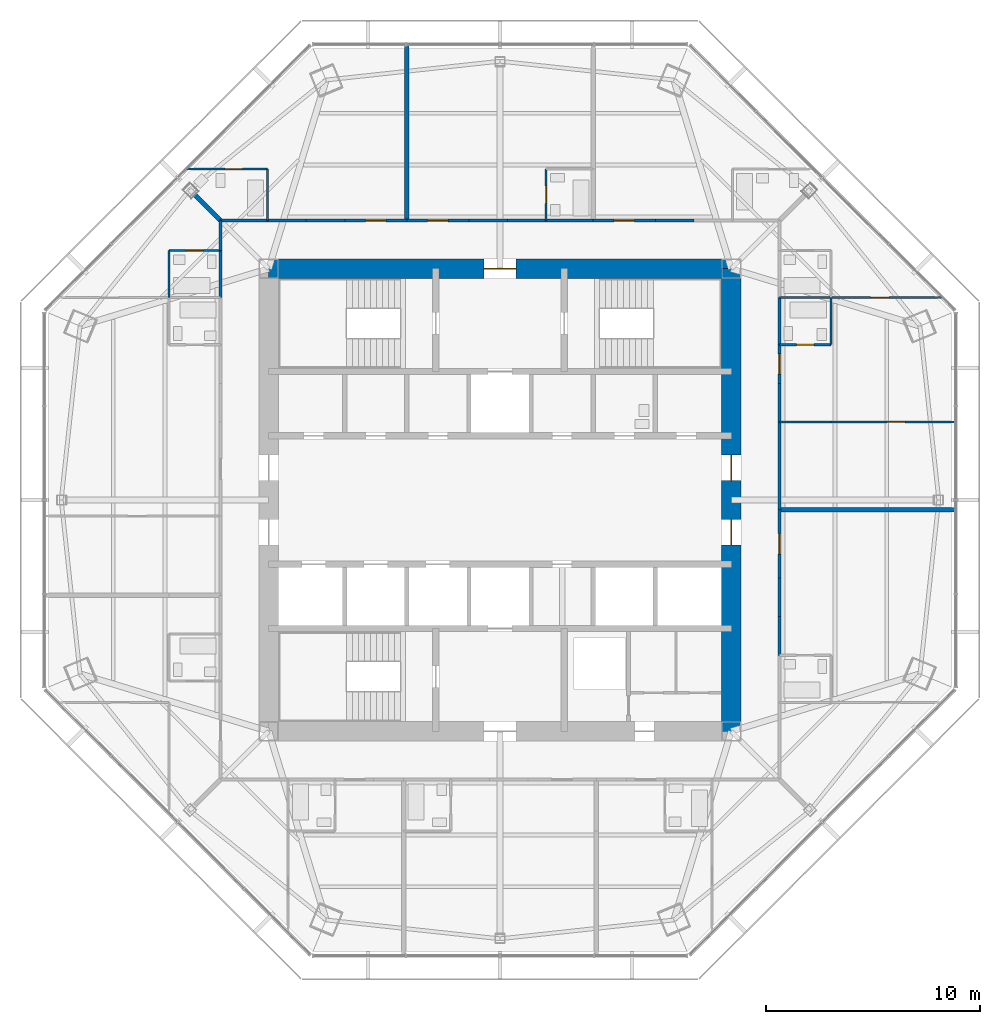
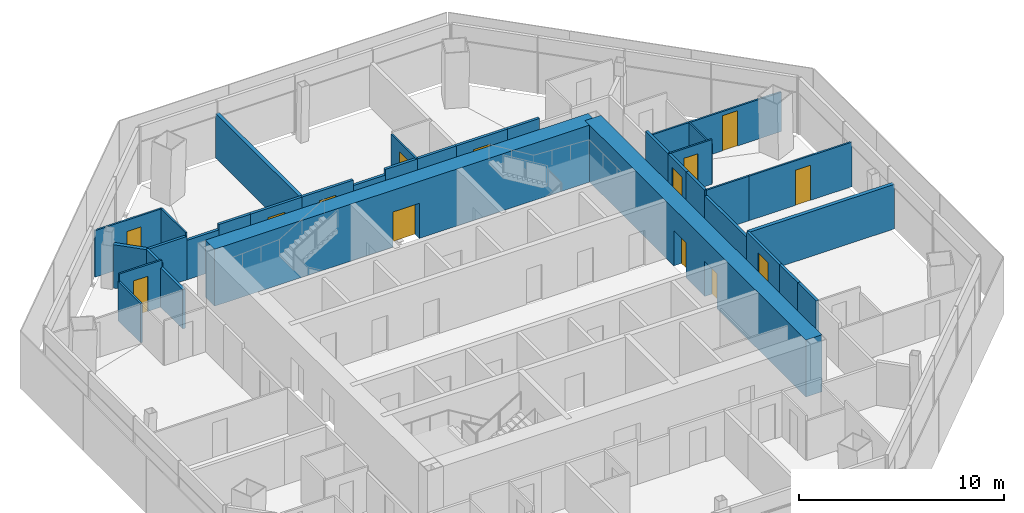
# One storey, part 11 of 14: 35 walls, 14 doors, 14 openings.
"""IFC4 building model written with IfcOpenShell, lengths in metres."""

from ifc_helpers import new_model, si_unit, direction, frame, frame_2d, origin, place, context, subcontext, project, spatial, rectangle, extrude, material, layer, layer_set, type_object, element, fill, save


model = new_model("IFC4")

# Units and contexts
model_context = context("Model", 3, precision=1e-05, world=origin(), true_north=direction((0.0, 1.0)))
body_context = subcontext(model_context, "Body", "Model", "MODEL_VIEW")
ifc_project = project(units=[si_unit("LENGTHUNIT", "METRE"), si_unit("AREAUNIT", "SQUARE_METRE"), si_unit("VOLUMEUNIT", "CUBIC_METRE"), si_unit("PLANEANGLEUNIT", "RADIAN"), si_unit("MASSUNIT", "GRAM", prefix="KILO")], contexts=[model_context])

# Site, building, storey
site_placement = place(None, origin())
site = spatial("IfcSite", under=ifc_project, at=site_placement, CompositionType="ELEMENT")
building_placement = place(site_placement, origin())
building = spatial("IfcBuilding", under=site, at=building_placement, Name="Mashrafa Tower", CompositionType="ELEMENT")
storey_placement = place(building_placement, frame((0.0, 0.0, 238.0)))
storey = spatial("IfcBuildingStorey", under=building, at=storey_placement, Name="L56", CompositionType="ELEMENT", Elevation=238.0)

# Walls
ifc_material_1 = material(Name="Gypsum board on steel studs", Category="steel")
ifc_layer_1 = layer(ifc_material_1, 0.199951171875)
ifc_layer_set_1 = layer_set([ifc_layer_1], Name="Acoustic partition 200 1 hr")
wall_type_1 = type_object("IfcWallType", Name="Acoustic partition 200 1 hr", PredefinedType="PARTITIONING", material=ifc_layer_set_1)
for number, where, z_axis, x_axis, name in (
    (1, (21.263916015625, -0.449951171875, 0.0), (0.0, 0.0, 1.0), (-1.0, 0.0, 0.0), "Acoustic wall L56-051"),
    (2, (-4.35009765625, 21.263916015625, 0.0), (0.0, 0.0, 1.0), (0.0, -1.0, 0.0), "Acoustic wall L56-067"),
):
    element("IfcWall", number, at=place(storey_placement, frame(where, z_axis=z_axis, x_axis=x_axis)), inside=storey, type_object=wall_type_1, Name=name, PredefinedType="PARTITIONING", context=body_context, shape_type="SweptSolid", body=[
        extrude(rectangle(XDim=8.2138671875, YDim=0.199951171875, at=frame_2d((4.10693359375, 0.0))), origin(), (0.0, 0.0, 1.0), 2.66162109375),
    ])
wall_1_placement = place(storey_placement, frame((-14.242431640625, 14.242431640625, 0.0), z_axis=(0.0, 0.0, 1.0), x_axis=(0.707106781187, -0.707106781187, 0.0)))
element("IfcWall", 3, at=wall_1_placement, inside=storey, type_object=wall_type_1, Name="Acoustic wall L56-070", PredefinedType="PARTITIONING", context=body_context, shape_type="SweptSolid", body=[
    extrude(rectangle(XDim=1.686279296875, YDim=0.199951171875, at=frame_2d((0.84326171875, 0.0))), origin(), (0.0, 0.0, 1.0), 2.587890625),
])

# Wall, openings, doors
ifc_material_2 = material(Name="Concrete C50/60", Category="concrete")
ifc_layer_2 = layer(ifc_material_2, 0.89990234375)
ifc_layer_set_2 = layer_set([ifc_layer_2], Name="Core wall 900 C50/60")
wall_type_2 = type_object("IfcWallType", Name="Core wall 900 C50/60", PredefinedType="SOLIDWALL", material=ifc_layer_set_2)
wall_2_placement = place(storey_placement, frame((10.800048828125, -10.800048828125, 0.0), z_axis=(0.0, 0.0, 1.0), x_axis=(0.0, 1.0, 0.0)))
wall_2 = element("IfcWall", 4, at=wall_2_placement, inside=storey, type_object=wall_type_2, Name="Core wall CW-E L56", PredefinedType="SOLIDWALL", context=body_context, shape_type="SweptSolid", body=[
    extrude(rectangle(XDim=21.60009765625, YDim=0.89990234375, at=frame_2d((10.800048828125, 0.0))), origin(), (0.0, 0.0, 1.0), 3.39990234375),
])
opening_1_placement = place(wall_2_placement, frame((11.699951171875, 0.0, 0.0)))
opening_1 = element("IfcOpeningElement", 5, at=opening_1_placement, cuts=wall_2, Name="Opening 56.031", PredefinedType="OPENING", context=body_context, shape_type="SweptSolid", body=[
    extrude(rectangle(XDim=1.199951171875, YDim=2.10009765625, at=frame_2d((0.60009765625, 1.050048828125))), frame((0.0, 0.4599609375, 0.0), z_axis=(0.0, -1.0, 0.0), x_axis=(1.0, 0.0, 0.0)), (0.0, 0.0, 1.0), 0.919921875),
])
opening_2_placement = place(wall_2_placement, frame((8.699951171875, 0.0, 0.0)))
opening_2 = element("IfcOpeningElement", 6, at=opening_2_placement, cuts=wall_2, Name="Opening 56.033", PredefinedType="OPENING", context=body_context, shape_type="SweptSolid", body=[
    extrude(rectangle(XDim=1.199951171875, YDim=2.10009765625, at=frame_2d((0.60009765625, 1.050048828125))), frame((0.0, 0.4599609375, 0.0), z_axis=(0.0, -1.0, 0.0), x_axis=(1.0, 0.0, 0.0)), (0.0, 0.0, 1.0), 0.919921875),
])
ifc_material_3 = material(Name="Steel door", Category="steel")
door_type_1 = type_object("IfcDoorType", Name="Lift hall door 1200 x 2100 90 min", OperationType="USERDEFINED", PredefinedType="DOOR", material=ifc_material_3)
door_1_placement = place(opening_1_placement, frame((1.199951171875, 0.0, 0.0), z_axis=(0.0, 0.0, 1.0), x_axis=(-1.0, 0.0, 0.0)))
door_1 = element("IfcDoor", 7, at=door_1_placement, inside=storey, type_object=door_type_1, Name="Lift hall door east L56", OperationType="SINGLE_SWING_LEFT", OverallHeight=2.10009765625, OverallWidth=1.199951171875, PredefinedType="DOOR", context=body_context, shape_type="SweptSolid", body=[
    extrude(rectangle(XDim=1.199951171875, YDim=2.10009765625, at=frame_2d((0.60009765625, 1.050048828125))), frame((0.0, 0.02490234375, 0.0), z_axis=(0.0, -1.0, 0.0), x_axis=(1.0, 0.0, 0.0)), (0.0, 0.0, 1.0), 0.050048828125),
])
fill(opening_1, door_1)
door_2_placement = place(opening_2_placement, frame((1.199951171875, 0.0, 0.0), z_axis=(0.0, 0.0, 1.0), x_axis=(-1.0, 0.0, 0.0)))
door_2 = element("IfcDoor", 8, at=door_2_placement, inside=storey, type_object=door_type_1, Name="Lift hall door east L56", OperationType="SINGLE_SWING_RIGHT", OverallHeight=2.10009765625, OverallWidth=1.199951171875, PredefinedType="DOOR", context=body_context, shape_type="SweptSolid", body=[
    extrude(rectangle(XDim=1.199951171875, YDim=2.10009765625, at=frame_2d((0.60009765625, 1.050048828125))), frame((0.0, 0.02490234375, 0.0), z_axis=(0.0, -1.0, 0.0), x_axis=(1.0, 0.0, 0.0)), (0.0, 0.0, 1.0), 0.050048828125),
])
fill(opening_2, door_2)

# Wall, opening, door
wall_3_placement = place(storey_placement, frame((10.800048828125, 10.800048828125, 0.0), z_axis=(0.0, 0.0, 1.0), x_axis=(-1.0, 0.0, 0.0)))
wall_3 = element("IfcWall", 9, at=wall_3_placement, inside=storey, type_object=wall_type_2, Name="Core wall CW-N L56", PredefinedType="SOLIDWALL", context=body_context, shape_type="SweptSolid", body=[
    extrude(rectangle(XDim=21.60009765625, YDim=0.89990234375, at=frame_2d((10.800048828125, 0.0))), origin(), (0.0, 0.0, 1.0), 3.39990234375),
])
opening_3_placement = place(wall_3_placement, frame((10.050048828125, 0.0, 0.0)))
opening_3 = element("IfcOpeningElement", 10, at=opening_3_placement, cuts=wall_3, Name="Opening 56.035", PredefinedType="OPENING", context=body_context, shape_type="SweptSolid", body=[
    extrude(rectangle(XDim=1.5, YDim=2.10009765625, at=frame_2d((0.75, 1.050048828125))), frame((0.0, 0.4599609375, 0.0), z_axis=(0.0, -1.0, 0.0), x_axis=(1.0, 0.0, 0.0)), (0.0, 0.0, 1.0), 0.919921875),
])
ifc_material_4 = material(Name="Steel door", Category="steel")
door_type_2 = type_object("IfcDoorType", Name="Lobby door pair 1500 x 2100 90 min", OperationType="DOUBLE_DOOR_SINGLE_SWING", PredefinedType="DOOR", material=ifc_material_4)
door_3_placement = place(opening_3_placement, origin())
door_3 = element("IfcDoor", 11, at=door_3_placement, inside=storey, type_object=door_type_2, Name="Fire-fighting lobby F1 door L56", OperationType="DOUBLE_DOOR_SINGLE_SWING", OverallHeight=2.10009765625, OverallWidth=1.5, PredefinedType="DOOR", context=body_context, shape_type="SweptSolid", body=[
    extrude(rectangle(XDim=1.5, YDim=2.10009765625, at=frame_2d((0.75, 1.050048828125))), frame((0.0, 0.02490234375, 0.0), z_axis=(0.0, -1.0, 0.0), x_axis=(1.0, 0.0, 0.0)), (0.0, 0.0, 1.0), 0.050048828125),
])
fill(opening_3, door_3)

# Walls
ifc_material_5 = material(Name="Gypsum board on steel studs", Category="steel")
ifc_layer_3 = layer(ifc_material_5, 0.14990234375)
ifc_layer_set_3 = layer_set([ifc_layer_3], Name="Corridor partition 150 1 hr")
wall_type_3 = type_object("IfcWallType", Name="Corridor partition 150 1 hr", PredefinedType="PARTITIONING", material=ifc_layer_set_3)
for number, where, z_axis, x_axis, name in (
    (12, (13.050048828125, -5.450927734375, 0.0), (0.0, 0.0, 1.0), (0.0, 1.0, 0.0), "Corridor wall L56-003"),
    (13, (13.050048828125, -7.2509765625, 0.0), (0.0, 0.0, 1.0), (0.0, 1.0, 0.0), "Corridor wall L56-004"),
):
    element("IfcWall", number, at=place(storey_placement, frame(where, z_axis=z_axis, x_axis=x_axis)), inside=storey, type_object=wall_type_3, Name=name, PredefinedType="PARTITIONING", context=body_context, shape_type="SweptSolid", body=[
        extrude(rectangle(XDim=1.802001953125, YDim=0.14990234375, at=frame_2d((0.90087890625, 0.0))), origin(), (0.0, 0.0, 1.0), 2.66162109375),
    ])

# Wall, opening, door
wall_4_placement = place(storey_placement, frame((13.050048828125, -3.65087890625, 0.0), z_axis=(0.0, 0.0, 1.0), x_axis=(0.0, 1.0, 0.0)))
wall_4 = element("IfcWall", 14, at=wall_4_placement, inside=storey, type_object=wall_type_3, Name="Corridor wall L56-005", PredefinedType="PARTITIONING", context=body_context, shape_type="SweptSolid", body=[
    extrude(rectangle(XDim=3.201904296875, YDim=0.14990234375, at=frame_2d((1.60107421875, 0.0))), origin(), (0.0, 0.0, 1.0), 2.66162109375),
])
opening_4_placement = place(wall_4_placement, frame((1.1259765625, 0.0, 0.0)))
opening_4 = element("IfcOpeningElement", 15, at=opening_4_placement, cuts=wall_4, Name="Opening 56.003", PredefinedType="OPENING", context=body_context, shape_type="SweptSolid", body=[
    extrude(rectangle(XDim=0.949951171875, YDim=2.10009765625, at=frame_2d((0.47509765625, 1.050048828125))), frame((0.0, 0.0849609375, 0.0), z_axis=(0.0, -1.0, 0.0), x_axis=(1.0, 0.0, 0.0)), (0.0, 0.0, 1.0), 0.169921875),
])
ifc_material_6 = material(Name="Steel door", Category="steel")
door_type_3 = type_object("IfcDoorType", Name="Residence entrance door 950 x 2100 20 min", OperationType="USERDEFINED", PredefinedType="DOOR", material=ifc_material_6)
door_4_placement = place(opening_4_placement, frame((0.949951171875, 0.0, 0.0), z_axis=(0.0, 0.0, 1.0), x_axis=(-1.0, 0.0, 0.0)))
door_4 = element("IfcDoor", 16, at=door_4_placement, inside=storey, type_object=door_type_3, Name="Apartment 5601 Living Room door", OperationType="SINGLE_SWING_LEFT", OverallHeight=2.10009765625, OverallWidth=0.949951171875, PredefinedType="DOOR", context=body_context, shape_type="SweptSolid", body=[
    extrude(rectangle(XDim=0.949951171875, YDim=2.10009765625, at=frame_2d((0.47509765625, 1.050048828125))), frame((0.0, 0.02490234375, 0.0), z_axis=(0.0, -1.0, 0.0), x_axis=(1.0, 0.0, 0.0)), (0.0, 0.0, 1.0), 0.050048828125),
])
fill(opening_4, door_4)

# Walls
wall_5_placement = place(storey_placement, frame((13.050048828125, 7.2490234375, 0.0), z_axis=(0.0, 0.0, 1.0), x_axis=(0.0, 1.0, 0.0)))
element("IfcWall", 17, at=wall_5_placement, inside=storey, type_object=wall_type_3, Name="Corridor wall L56-008", PredefinedType="PARTITIONING", context=body_context, shape_type="SweptSolid", body=[
    extrude(rectangle(XDim=2.201904296875, YDim=0.14990234375, at=frame_2d((1.10107421875, 0.0))), origin(), (0.0, 0.0, 1.0), 2.66162109375),
])
wall_6_placement = place(storey_placement, frame((13.050048828125, 3.64892578125, 0.0), z_axis=(0.0, 0.0, 1.0), x_axis=(0.0, 1.0, 0.0)))
element("IfcWall", 18, at=wall_6_placement, inside=storey, type_object=wall_type_3, Name="Corridor wall L56-009", PredefinedType="PARTITIONING", context=body_context, shape_type="SweptSolid", body=[
    extrude(rectangle(XDim=1.802001953125, YDim=0.14990234375, at=frame_2d((0.90087890625, 0.0))), origin(), (0.0, 0.0, 1.0), 2.66162109375),
])
wall_7_placement = place(storey_placement, frame((13.050048828125, -0.450927734375, 0.0), z_axis=(0.0, 0.0, 1.0), x_axis=(0.0, 1.0, 0.0)))
element("IfcWall", 19, at=wall_7_placement, inside=storey, type_object=wall_type_3, Name="Corridor wall L56-010", PredefinedType="PARTITIONING", context=body_context, shape_type="SweptSolid", body=[
    extrude(rectangle(XDim=4.101806640625, YDim=0.14990234375, at=frame_2d((2.05078125, 0.0))), origin(), (0.0, 0.0, 1.0), 2.33154296875),
])

# Wall, opening, door
wall_8_placement = place(storey_placement, frame((13.050048828125, 5.448974609375, 0.0), z_axis=(0.0, 0.0, 1.0), x_axis=(0.0, 1.0, 0.0)))
wall_8 = element("IfcWall", 20, at=wall_8_placement, inside=storey, type_object=wall_type_3, Name="Corridor wall L56-011", PredefinedType="PARTITIONING", context=body_context, shape_type="SweptSolid", body=[
    extrude(rectangle(XDim=1.802001953125, YDim=0.14990234375, at=frame_2d((0.90087890625, 0.0))), origin(), (0.0, 0.0, 1.0), 2.66162109375),
])
opening_5_placement = place(wall_8_placement, frame((0.426025390625, 0.0, 0.0)))
opening_5 = element("IfcOpeningElement", 21, at=opening_5_placement, cuts=wall_8, Name="Opening 56.008", PredefinedType="OPENING", context=body_context, shape_type="SweptSolid", body=[
    extrude(rectangle(XDim=0.949951171875, YDim=2.10009765625, at=frame_2d((0.47509765625, 1.050048828125))), frame((0.0, 0.0849609375, 0.0), z_axis=(0.0, -1.0, 0.0), x_axis=(1.0, 0.0, 0.0)), (0.0, 0.0, 1.0), 0.169921875),
])
door_5_placement = place(opening_5_placement, frame((0.949951171875, 0.0, 0.0), z_axis=(0.0, 0.0, 1.0), x_axis=(-1.0, 0.0, 0.0)))
door_5 = element("IfcDoor", 22, at=door_5_placement, inside=storey, type_object=door_type_3, Name="Apartment 5602 Living Room door", OperationType="SINGLE_SWING_RIGHT", OverallHeight=2.10009765625, OverallWidth=0.949951171875, PredefinedType="DOOR", context=body_context, shape_type="SweptSolid", body=[
    extrude(rectangle(XDim=0.949951171875, YDim=2.10009765625, at=frame_2d((0.47509765625, 1.050048828125))), frame((0.0, 0.02490234375, 0.0), z_axis=(0.0, -1.0, 0.0), x_axis=(1.0, 0.0, 0.0)), (0.0, 0.0, 1.0), 0.050048828125),
])
fill(opening_5, door_5)

# Wall
wall_9_placement = place(storey_placement, frame((9.051025390625, 13.050048828125, 0.0), z_axis=(0.0, 0.0, 1.0), x_axis=(-1.0, 0.0, 0.0)))
element("IfcWall", 23, at=wall_9_placement, inside=storey, type_object=wall_type_3, Name="Corridor wall L56-013", PredefinedType="PARTITIONING", context=body_context, shape_type="SweptSolid", body=[
    extrude(rectangle(XDim=1.802001953125, YDim=0.14990234375, at=frame_2d((0.90087890625, 0.0))), origin(), (0.0, 0.0, 1.0), 2.66162109375),
])

# Wall, opening, door
wall_10_placement = place(storey_placement, frame((7.2509765625, 13.050048828125, 0.0), z_axis=(0.0, 0.0, 1.0), x_axis=(-1.0, 0.0, 0.0)))
wall_10 = element("IfcWall", 24, at=wall_10_placement, inside=storey, type_object=wall_type_3, Name="Corridor wall L56-014", PredefinedType="PARTITIONING", context=body_context, shape_type="SweptSolid", body=[
    extrude(rectangle(XDim=2.90185546875, YDim=0.14990234375, at=frame_2d((1.450927734375, 0.0))), origin(), (0.0, 0.0, 1.0), 2.66162109375),
])
opening_6_placement = place(wall_10_placement, frame((0.97607421875, 0.0, 0.0)))
opening_6 = element("IfcOpeningElement", 25, at=opening_6_placement, cuts=wall_10, Name="Opening 56.010", PredefinedType="OPENING", context=body_context, shape_type="SweptSolid", body=[
    extrude(rectangle(XDim=0.949951171875, YDim=2.10009765625, at=frame_2d((0.47509765625, 1.050048828125))), frame((0.0, 0.0849609375, 0.0), z_axis=(0.0, -1.0, 0.0), x_axis=(1.0, 0.0, 0.0)), (0.0, 0.0, 1.0), 0.169921875),
])
door_6_placement = place(opening_6_placement, frame((0.949951171875, 0.0, 0.0), z_axis=(0.0, 0.0, 1.0), x_axis=(-1.0, 0.0, 0.0)))
door_6 = element("IfcDoor", 26, at=door_6_placement, inside=storey, type_object=door_type_3, Name="Apartment 5603 Studio Living Room door", OperationType="SINGLE_SWING_LEFT", OverallHeight=2.10009765625, OverallWidth=0.949951171875, PredefinedType="DOOR", context=body_context, shape_type="SweptSolid", body=[
    extrude(rectangle(XDim=0.949951171875, YDim=2.10009765625, at=frame_2d((0.47509765625, 1.050048828125))), frame((0.0, 0.02490234375, 0.0), z_axis=(0.0, -1.0, 0.0), x_axis=(1.0, 0.0, 0.0)), (0.0, 0.0, 1.0), 0.050048828125),
])
fill(opening_6, door_6)

# Walls
wall_11_placement = place(storey_placement, frame((4.35107421875, 13.050048828125, 0.0), z_axis=(0.0, 0.0, 1.0), x_axis=(-1.0, 0.0, 0.0)))
element("IfcWall", 27, at=wall_11_placement, inside=storey, type_object=wall_type_3, Name="Corridor wall L56-016", PredefinedType="PARTITIONING", context=body_context, shape_type="SweptSolid", body=[
    extrude(rectangle(XDim=2.2021484375, YDim=0.14990234375, at=frame_2d((1.10107421875, 0.0))), origin(), (0.0, 0.0, 1.0), 2.66162109375),
])
wall_12_placement = place(storey_placement, frame((0.35107421875, 13.050048828125, 0.0), z_axis=(0.0, 0.0, 1.0), x_axis=(-1.0, 0.0, 0.0)))
element("IfcWall", 28, at=wall_12_placement, inside=storey, type_object=wall_type_3, Name="Corridor wall L56-017", PredefinedType="PARTITIONING", context=body_context, shape_type="SweptSolid", body=[
    extrude(rectangle(XDim=1.802001953125, YDim=0.14990234375, at=frame_2d((0.90087890625, 0.0))), origin(), (0.0, 0.0, 1.0), 2.33154296875),
])

# Wall, opening, door
wall_13_placement = place(storey_placement, frame((-1.448974609375, 13.050048828125, 0.0), z_axis=(0.0, 0.0, 1.0), x_axis=(-1.0, 0.0, 0.0)))
wall_13 = element("IfcWall", 29, at=wall_13_placement, inside=storey, type_object=wall_type_3, Name="Corridor wall L56-018", PredefinedType="PARTITIONING", context=body_context, shape_type="SweptSolid", body=[
    extrude(rectangle(XDim=2.902099609375, YDim=0.14990234375, at=frame_2d((1.451171875, 0.0))), origin(), (0.0, 0.0, 1.0), 2.66162109375),
])
opening_7_placement = place(wall_13_placement, frame((0.97607421875, 0.0, 0.0)))
opening_7 = element("IfcOpeningElement", 30, at=opening_7_placement, cuts=wall_13, Name="Opening 56.012", PredefinedType="OPENING", context=body_context, shape_type="SweptSolid", body=[
    extrude(rectangle(XDim=0.949951171875, YDim=2.10009765625, at=frame_2d((0.47509765625, 1.050048828125))), frame((0.0, 0.0849609375, 0.0), z_axis=(0.0, -1.0, 0.0), x_axis=(1.0, 0.0, 0.0)), (0.0, 0.0, 1.0), 0.169921875),
])
door_7_placement = place(opening_7_placement, frame((0.949951171875, 0.0, 0.0), z_axis=(0.0, 0.0, 1.0), x_axis=(-1.0, 0.0, 0.0)))
door_7 = element("IfcDoor", 31, at=door_7_placement, inside=storey, type_object=door_type_3, Name="Apartment 5604 Studio Living Room door", OperationType="SINGLE_SWING_LEFT", OverallHeight=2.10009765625, OverallWidth=0.949951171875, PredefinedType="DOOR", context=body_context, shape_type="SweptSolid", body=[
    extrude(rectangle(XDim=0.949951171875, YDim=2.10009765625, at=frame_2d((0.47509765625, 1.050048828125))), frame((0.0, 0.02490234375, 0.0), z_axis=(0.0, -1.0, 0.0), x_axis=(1.0, 0.0, 0.0)), (0.0, 0.0, 1.0), 0.050048828125),
])
fill(opening_7, door_7)

# Walls
wall_14_placement = place(storey_placement, frame((2.15087890625, 13.050048828125, 0.0), z_axis=(0.0, 0.0, 1.0), x_axis=(-1.0, 0.0, 0.0)))
element("IfcWall", 32, at=wall_14_placement, inside=storey, type_object=wall_type_3, Name="Corridor wall L56-019", PredefinedType="PARTITIONING", context=body_context, shape_type="SweptSolid", body=[
    extrude(rectangle(XDim=1.8017578125, YDim=0.14990234375, at=frame_2d((0.90087890625, 0.0))), origin(), (0.0, 0.0, 1.0), 2.66162109375),
])
wall_15_placement = place(storey_placement, frame((-10.84912109375, 13.050048828125, 0.0), z_axis=(0.0, 0.0, 1.0), x_axis=(-1.0, 0.0, 0.0)))
element("IfcWall", 33, at=wall_15_placement, inside=storey, type_object=wall_type_3, Name="Corridor wall L56-020", PredefinedType="PARTITIONING", context=body_context, shape_type="SweptSolid", body=[
    extrude(rectangle(XDim=2.200927734375, YDim=0.14990234375, at=frame_2d((1.1005859375, 0.0))), origin(), (0.0, 0.0, 1.0), 2.587890625),
])
wall_16_placement = place(storey_placement, frame((-7.2490234375, 13.050048828125, 0.0), z_axis=(0.0, 0.0, 1.0), x_axis=(-1.0, 0.0, 0.0)))
element("IfcWall", 34, at=wall_16_placement, inside=storey, type_object=wall_type_3, Name="Corridor wall L56-021", PredefinedType="PARTITIONING", context=body_context, shape_type="SweptSolid", body=[
    extrude(rectangle(XDim=1.802001953125, YDim=0.14990234375, at=frame_2d((0.90087890625, 0.0))), origin(), (0.0, 0.0, 1.0), 2.66162109375),
])
wall_17_placement = place(storey_placement, frame((-9.049072265625, 13.050048828125, 0.0), z_axis=(0.0, 0.0, 1.0), x_axis=(-1.0, 0.0, 0.0)))
element("IfcWall", 35, at=wall_17_placement, inside=storey, type_object=wall_type_3, Name="Corridor wall L56-022", PredefinedType="PARTITIONING", context=body_context, shape_type="SweptSolid", body=[
    extrude(rectangle(XDim=1.802001953125, YDim=0.14990234375, at=frame_2d((0.90087890625, 0.0))), origin(), (0.0, 0.0, 1.0), 2.349365234375),
])

# Wall, opening, door
wall_18_placement = place(storey_placement, frame((-4.34912109375, 13.050048828125, 0.0), z_axis=(0.0, 0.0, 1.0), x_axis=(-1.0, 0.0, 0.0)))
wall_18 = element("IfcWall", 36, at=wall_18_placement, inside=storey, type_object=wall_type_3, Name="Corridor wall L56-023", PredefinedType="PARTITIONING", context=body_context, shape_type="SweptSolid", body=[
    extrude(rectangle(XDim=2.90185546875, YDim=0.14990234375, at=frame_2d((1.450927734375, 0.0))), origin(), (0.0, 0.0, 1.0), 2.66162109375),
])
opening_8_placement = place(wall_18_placement, frame((0.97607421875, 0.0, 0.0)))
opening_8 = element("IfcOpeningElement", 37, at=opening_8_placement, cuts=wall_18, Name="Opening 56.014", PredefinedType="OPENING", context=body_context, shape_type="SweptSolid", body=[
    extrude(rectangle(XDim=0.949951171875, YDim=2.10009765625, at=frame_2d((0.47509765625, 1.050048828125))), frame((0.0, 0.0849609375, 0.0), z_axis=(0.0, -1.0, 0.0), x_axis=(1.0, 0.0, 0.0)), (0.0, 0.0, 1.0), 0.169921875),
])
door_8_placement = place(opening_8_placement, frame((0.949951171875, 0.0, 0.0), z_axis=(0.0, 0.0, 1.0), x_axis=(-1.0, 0.0, 0.0)))
door_8 = element("IfcDoor", 38, at=door_8_placement, inside=storey, type_object=door_type_3, Name="Apartment 5605 Studio Living Room door", OperationType="SINGLE_SWING_RIGHT", OverallHeight=2.10009765625, OverallWidth=0.949951171875, PredefinedType="DOOR", context=body_context, shape_type="SweptSolid", body=[
    extrude(rectangle(XDim=0.949951171875, YDim=2.10009765625, at=frame_2d((0.47509765625, 1.050048828125))), frame((0.0, 0.02490234375, 0.0), z_axis=(0.0, -1.0, 0.0), x_axis=(1.0, 0.0, 0.0)), (0.0, 0.0, 1.0), 0.050048828125),
])
fill(opening_8, door_8)

# Walls
wall_19_placement = place(storey_placement, frame((-13.050048828125, 11.65087890625, 0.0), z_axis=(0.0, 0.0, 1.0), x_axis=(0.0, -1.0, 0.0)))
element("IfcWall", 39, at=wall_19_placement, inside=storey, type_object=wall_type_3, Name="Corridor wall L56-024", PredefinedType="PARTITIONING", context=body_context, shape_type="SweptSolid", body=[
    extrude(rectangle(XDim=2.201904296875, YDim=0.14990234375, at=frame_2d((1.10107421875, 0.0))), origin(), (0.0, 0.0, 1.0), 2.349365234375),
])
wall_20_placement = place(storey_placement, frame((-13.050048828125, 13.050048828125, 0.0), z_axis=(0.0, 0.0, 1.0), x_axis=(0.0, -1.0, 0.0)))
element("IfcWall", 40, at=wall_20_placement, inside=storey, type_object=wall_type_3, Name="Corridor wall L56-025", PredefinedType="PARTITIONING", context=body_context, shape_type="SweptSolid", body=[
    extrude(rectangle(XDim=1.401123046875, YDim=0.14990234375, at=frame_2d((0.70068359375, 0.0))), origin(), (0.0, 0.0, 1.0), 2.587890625),
])
ifc_material_7 = material(Name="Gypsum board on steel studs", Category="steel")
ifc_layer_4 = layer(ifc_material_7, 0.10009765625)
ifc_layer_set_4 = layer_set([ifc_layer_4], Name="Partition 100")
wall_type_4 = type_object("IfcWallType", Name="Partition 100", PredefinedType="PARTITIONING", material=ifc_layer_set_4)
wall_21_placement = place(storey_placement, frame((13.050048828125, 9.449951171875, 0.0), z_axis=(0.0, 0.0, 1.0), x_axis=(1.0, 0.0, 0.0)))
element("IfcWall", 41, at=wall_21_placement, inside=storey, type_object=wall_type_4, Name="Partition wall L56-054", PredefinedType="PARTITIONING", context=body_context, shape_type="SweptSolid", body=[
    extrude(rectangle(XDim=2.39990234375, YDim=0.10009765625, at=frame_2d((1.199951171875, 0.0))), origin(), (0.0, 0.0, 1.0), 2.349365234375),
])

# Wall, opening, door
wall_22_placement = place(storey_placement, frame((15.449951171875, 9.449951171875, 0.0), z_axis=(0.0, 0.0, 1.0), x_axis=(1.0, 0.0, 0.0)))
wall_22 = element("IfcWall", 42, at=wall_22_placement, inside=storey, type_object=wall_type_4, Name="Partition wall L56-055", PredefinedType="PARTITIONING", context=body_context, shape_type="SweptSolid", body=[
    extrude(rectangle(XDim=5.175537109375, YDim=0.10009765625, at=frame_2d((2.587890625, 0.0))), origin(), (0.0, 0.0, 1.0), 2.349365234375),
])
opening_9_placement = place(wall_22_placement, frame((1.85546875, 0.0, 0.0)))
opening_9 = element("IfcOpeningElement", 43, at=opening_9_placement, cuts=wall_22, Name="Opening 56.005", PredefinedType="OPENING", context=body_context, shape_type="SweptSolid", body=[
    extrude(rectangle(XDim=0.85009765625, YDim=2.10009765625, at=frame_2d((0.425048828125, 1.050048828125))), frame((0.0, 0.06005859375, 0.0), z_axis=(0.0, -1.0, 0.0), x_axis=(1.0, 0.0, 0.0)), (0.0, 0.0, 1.0), 0.1201171875),
])
ifc_material_8 = material(Name="Timber door", Category="wood")
door_type_4 = type_object("IfcDoorType", Name="Bedroom door 850 x 2100", OperationType="USERDEFINED", PredefinedType="DOOR", material=ifc_material_8)
door_9_placement = place(opening_9_placement, origin())
door_9 = element("IfcDoor", 44, at=door_9_placement, inside=storey, type_object=door_type_4, Name="Apartment 5602 Bedroom 1 door", OperationType="SINGLE_SWING_RIGHT", OverallHeight=2.10009765625, OverallWidth=0.85009765625, PredefinedType="DOOR", context=body_context, shape_type="SweptSolid", body=[
    extrude(rectangle(XDim=0.85009765625, YDim=2.10009765625, at=frame_2d((0.425048828125, 1.050048828125))), frame((0.0, 0.02490234375, 0.0), z_axis=(0.0, -1.0, 0.0), x_axis=(1.0, 0.0, 0.0)), (0.0, 0.0, 1.0), 0.050048828125),
])
fill(opening_9, door_9)

wall_23_placement = place(storey_placement, frame((13.050048828125, 7.25, 0.0), z_axis=(0.0, 0.0, 1.0), x_axis=(1.0, 0.0, 0.0)))
wall_23 = element("IfcWall", 45, at=wall_23_placement, inside=storey, type_object=wall_type_4, Name="Partition wall L56-057", PredefinedType="PARTITIONING", context=body_context, shape_type="SweptSolid", body=[
    extrude(rectangle(XDim=2.39990234375, YDim=0.10009765625, at=frame_2d((1.199951171875, 0.0))), origin(), (0.0, 0.0, 1.0), 2.66162109375),
])
opening_10_placement = place(wall_23_placement, frame((0.800048828125, 0.0, 0.0)))
opening_10 = element("IfcOpeningElement", 46, at=opening_10_placement, cuts=wall_23, Name="Opening 56.006", PredefinedType="OPENING", context=body_context, shape_type="SweptSolid", body=[
    extrude(rectangle(XDim=0.800048828125, YDim=2.10009765625, at=frame_2d((0.39990234375, 1.050048828125))), frame((0.0, 0.06005859375, 0.0), z_axis=(0.0, -1.0, 0.0), x_axis=(1.0, 0.0, 0.0)), (0.0, 0.0, 1.0), 0.1201171875),
])
ifc_material_9 = material(Name="Timber door", Category="wood")
door_type_5 = type_object("IfcDoorType", Name="Bathroom door 800 x 2100", OperationType="USERDEFINED", PredefinedType="DOOR", material=ifc_material_9)
door_10_placement = place(opening_10_placement, origin())
door_10 = element("IfcDoor", 47, at=door_10_placement, inside=storey, type_object=door_type_5, Name="Apartment 5602 Bathroom door", OperationType="SINGLE_SWING_LEFT", OverallHeight=2.10009765625, OverallWidth=0.800048828125, PredefinedType="DOOR", context=body_context, shape_type="SweptSolid", body=[
    extrude(rectangle(XDim=0.800048828125, YDim=2.10009765625, at=frame_2d((0.39990234375, 1.050048828125))), frame((0.0, 0.02490234375, 0.0), z_axis=(0.0, -1.0, 0.0), x_axis=(1.0, 0.0, 0.0)), (0.0, 0.0, 1.0), 0.050048828125),
])
fill(opening_10, door_10)

# Walls
wall_24_placement = place(storey_placement, frame((15.449951171875, 7.25, 0.0), z_axis=(0.0, 0.0, 1.0), x_axis=(0.0, 1.0, 0.0)))
element("IfcWall", 48, at=wall_24_placement, inside=storey, type_object=wall_type_4, Name="Partition wall L56-058", PredefinedType="PARTITIONING", context=body_context, shape_type="SweptSolid", body=[
    extrude(rectangle(XDim=2.199951171875, YDim=0.10009765625, at=frame_2d((1.10009765625, 0.0))), origin(), (0.0, 0.0, 1.0), 2.349365234375),
])
wall_25_placement = place(storey_placement, frame((13.050048828125, 3.64990234375, 0.0), z_axis=(0.0, 0.0, 1.0), x_axis=(1.0, 0.0, 0.0)))
element("IfcWall", 49, at=wall_25_placement, inside=storey, type_object=wall_type_4, Name="Partition wall L56-059", PredefinedType="PARTITIONING", context=body_context, shape_type="SweptSolid", body=[
    extrude(rectangle(XDim=2.39990234375, YDim=0.10009765625, at=frame_2d((1.199951171875, 0.0))), origin(), (0.0, 0.0, 1.0), 2.66162109375),
])

# Wall, opening, door
wall_26_placement = place(storey_placement, frame((21.26611328125, 3.64990234375, 0.0), z_axis=(0.0, 0.0, 1.0), x_axis=(-1.0, 0.0, 0.0)))
wall_26 = element("IfcWall", 50, at=wall_26_placement, inside=storey, type_object=wall_type_4, Name="Partition wall L56-060", PredefinedType="PARTITIONING", context=body_context, shape_type="SweptSolid", body=[
    extrude(rectangle(XDim=5.817138671875, YDim=0.10009765625, at=frame_2d((2.90869140625, 0.0))), origin(), (0.0, 0.0, 1.0), 2.66162109375),
])
opening_11_placement = place(wall_26_placement, frame((2.345458984375, 0.0, 0.0)))
opening_11 = element("IfcOpeningElement", 51, at=opening_11_placement, cuts=wall_26, Name="Opening 56.007", PredefinedType="OPENING", context=body_context, shape_type="SweptSolid", body=[
    extrude(rectangle(XDim=0.85009765625, YDim=2.10009765625, at=frame_2d((0.425048828125, 1.050048828125))), frame((0.0, 0.06005859375, 0.0), z_axis=(0.0, -1.0, 0.0), x_axis=(1.0, 0.0, 0.0)), (0.0, 0.0, 1.0), 0.1201171875),
])
door_11_placement = place(opening_11_placement, origin())
door_11 = element("IfcDoor", 52, at=door_11_placement, inside=storey, type_object=door_type_4, Name="Apartment 5602 Bedroom 2 door", OperationType="SINGLE_SWING_LEFT", OverallHeight=2.10009765625, OverallWidth=0.85009765625, PredefinedType="DOOR", context=body_context, shape_type="SweptSolid", body=[
    extrude(rectangle(XDim=0.85009765625, YDim=2.10009765625, at=frame_2d((0.425048828125, 1.050048828125))), frame((0.0, 0.02490234375, 0.0), z_axis=(0.0, -1.0, 0.0), x_axis=(1.0, 0.0, 0.0)), (0.0, 0.0, 1.0), 0.050048828125),
])
fill(opening_11, door_11)

wall_27_placement = place(storey_placement, frame((2.14990234375, 15.449951171875, 0.0), z_axis=(0.0, 0.0, 1.0), x_axis=(0.0, -1.0, 0.0)))
wall_27 = element("IfcWall", 53, at=wall_27_placement, inside=storey, type_object=wall_type_4, Name="Partition wall L56-066", PredefinedType="PARTITIONING", context=body_context, shape_type="SweptSolid", body=[
    extrude(rectangle(XDim=2.39990234375, YDim=0.10009765625, at=frame_2d((1.199951171875, 0.0))), origin(), (0.0, 0.0, 1.0), 2.66162109375),
])
opening_12_placement = place(wall_27_placement, frame((0.800048828125, 0.0, 0.0)))
opening_12 = element("IfcOpeningElement", 54, at=opening_12_placement, cuts=wall_27, Name="Opening 56.011", PredefinedType="OPENING", context=body_context, shape_type="SweptSolid", body=[
    extrude(rectangle(XDim=0.800048828125, YDim=2.10009765625, at=frame_2d((0.39990234375, 1.050048828125))), frame((0.0, 0.06005859375, 0.0), z_axis=(0.0, -1.0, 0.0), x_axis=(1.0, 0.0, 0.0)), (0.0, 0.0, 1.0), 0.1201171875),
])
door_12_placement = place(opening_12_placement, origin())
door_12 = element("IfcDoor", 55, at=door_12_placement, inside=storey, type_object=door_type_5, Name="Apartment 5604 Bathroom door", OperationType="SINGLE_SWING_RIGHT", OverallHeight=2.10009765625, OverallWidth=0.800048828125, PredefinedType="DOOR", context=body_context, shape_type="SweptSolid", body=[
    extrude(rectangle(XDim=0.800048828125, YDim=2.10009765625, at=frame_2d((0.39990234375, 1.050048828125))), frame((0.0, 0.02490234375, 0.0), z_axis=(0.0, -1.0, 0.0), x_axis=(1.0, 0.0, 0.0)), (0.0, 0.0, 1.0), 0.050048828125),
])
fill(opening_12, door_12)

# Wall
wall_28_placement = place(storey_placement, frame((-10.85009765625, 13.050048828125, 0.0), z_axis=(0.0, 0.0, 1.0), x_axis=(0.0, 1.0, 0.0)))
element("IfcWall", 56, at=wall_28_placement, inside=storey, type_object=wall_type_4, Name="Partition wall L56-068", PredefinedType="PARTITIONING", context=body_context, shape_type="SweptSolid", body=[
    extrude(rectangle(XDim=2.39990234375, YDim=0.10009765625, at=frame_2d((1.199951171875, 0.0))), origin(), (0.0, 0.0, 1.0), 2.7861328125),
])

# Wall, opening, door
wall_29_placement = place(storey_placement, frame((-10.85009765625, 15.449951171875, 0.0), z_axis=(0.0, 0.0, 1.0), x_axis=(-1.0, 0.0, 0.0)))
wall_29 = element("IfcWall", 57, at=wall_29_placement, inside=storey, type_object=wall_type_4, Name="Partition wall L56-069", PredefinedType="PARTITIONING", context=body_context, shape_type="SweptSolid", body=[
    extrude(rectangle(XDim=3.775390625, YDim=0.10009765625, at=frame_2d((1.8876953125, 0.0))), origin(), (0.0, 0.0, 1.0), 2.78369140625),
])
opening_13_placement = place(wall_29_placement, frame((1.180419921875, 0.0, 0.0)))
opening_13 = element("IfcOpeningElement", 58, at=opening_13_placement, cuts=wall_29, Name="Opening 56.013", PredefinedType="OPENING", context=body_context, shape_type="SweptSolid", body=[
    extrude(rectangle(XDim=0.800048828125, YDim=2.10009765625, at=frame_2d((0.39990234375, 1.050048828125))), frame((0.0, 0.06005859375, 0.0), z_axis=(0.0, -1.0, 0.0), x_axis=(1.0, 0.0, 0.0)), (0.0, 0.0, 1.0), 0.1201171875),
])
door_13_placement = place(opening_13_placement, origin())
door_13 = element("IfcDoor", 59, at=door_13_placement, inside=storey, type_object=door_type_5, Name="Apartment 5605 Bathroom door", OperationType="SINGLE_SWING_LEFT", OverallHeight=2.10009765625, OverallWidth=0.800048828125, PredefinedType="DOOR", context=body_context, shape_type="SweptSolid", body=[
    extrude(rectangle(XDim=0.800048828125, YDim=2.10009765625, at=frame_2d((0.39990234375, 1.050048828125))), frame((0.0, 0.02490234375, 0.0), z_axis=(0.0, -1.0, 0.0), x_axis=(1.0, 0.0, 0.0)), (0.0, 0.0, 1.0), 0.050048828125),
])
fill(opening_13, door_13)

wall_30_placement = place(storey_placement, frame((-13.050048828125, 11.64990234375, 0.0), z_axis=(0.0, 0.0, 1.0), x_axis=(-1.0, 0.0, 0.0)))
wall_30 = element("IfcWall", 60, at=wall_30_placement, inside=storey, type_object=wall_type_4, Name="Partition wall L56-071", PredefinedType="PARTITIONING", context=body_context, shape_type="SweptSolid", body=[
    extrude(rectangle(XDim=2.39990234375, YDim=0.10009765625, at=frame_2d((1.199951171875, 0.0))), origin(), (0.0, 0.0, 1.0), 2.7861328125),
])
opening_14_placement = place(wall_30_placement, frame((0.800048828125, 0.0, 0.0)))
opening_14 = element("IfcOpeningElement", 61, at=opening_14_placement, cuts=wall_30, Name="Opening 56.015", PredefinedType="OPENING", context=body_context, shape_type="SweptSolid", body=[
    extrude(rectangle(XDim=0.800048828125, YDim=2.10009765625, at=frame_2d((0.39990234375, 1.050048828125))), frame((0.0, 0.06005859375, 0.0), z_axis=(0.0, -1.0, 0.0), x_axis=(1.0, 0.0, 0.0)), (0.0, 0.0, 1.0), 0.1201171875),
])
door_14_placement = place(opening_14_placement, origin())
door_14 = element("IfcDoor", 62, at=door_14_placement, inside=storey, type_object=door_type_5, Name="Apartment 5606 En-suite Bathroom door", OperationType="SINGLE_SWING_RIGHT", OverallHeight=2.10009765625, OverallWidth=0.800048828125, PredefinedType="DOOR", context=body_context, shape_type="SweptSolid", body=[
    extrude(rectangle(XDim=0.800048828125, YDim=2.10009765625, at=frame_2d((0.39990234375, 1.050048828125))), frame((0.0, 0.02490234375, 0.0), z_axis=(0.0, -1.0, 0.0), x_axis=(1.0, 0.0, 0.0)), (0.0, 0.0, 1.0), 0.050048828125),
])
fill(opening_14, door_14)

# Wall
wall_31_placement = place(storey_placement, frame((-15.449951171875, 11.64990234375, 0.0), z_axis=(0.0, 0.0, 1.0), x_axis=(0.0, -1.0, 0.0)))
element("IfcWall", 63, at=wall_31_placement, inside=storey, type_object=wall_type_4, Name="Partition wall L56-072", PredefinedType="PARTITIONING", context=body_context, shape_type="SweptSolid", body=[
    extrude(rectangle(XDim=2.199951171875, YDim=0.10009765625, at=frame_2d((1.10009765625, 0.0))), origin(), (0.0, 0.0, 1.0), 2.349365234375),
])

save(model, "model.ifc")
